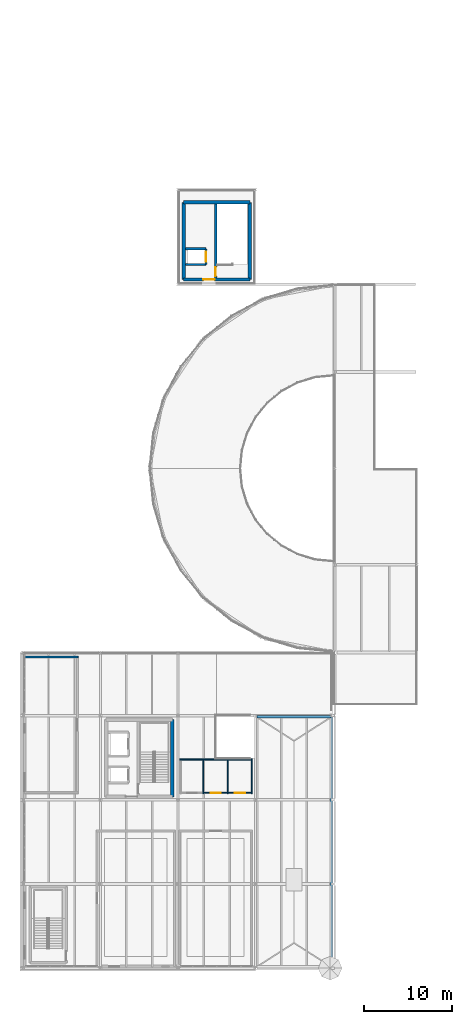
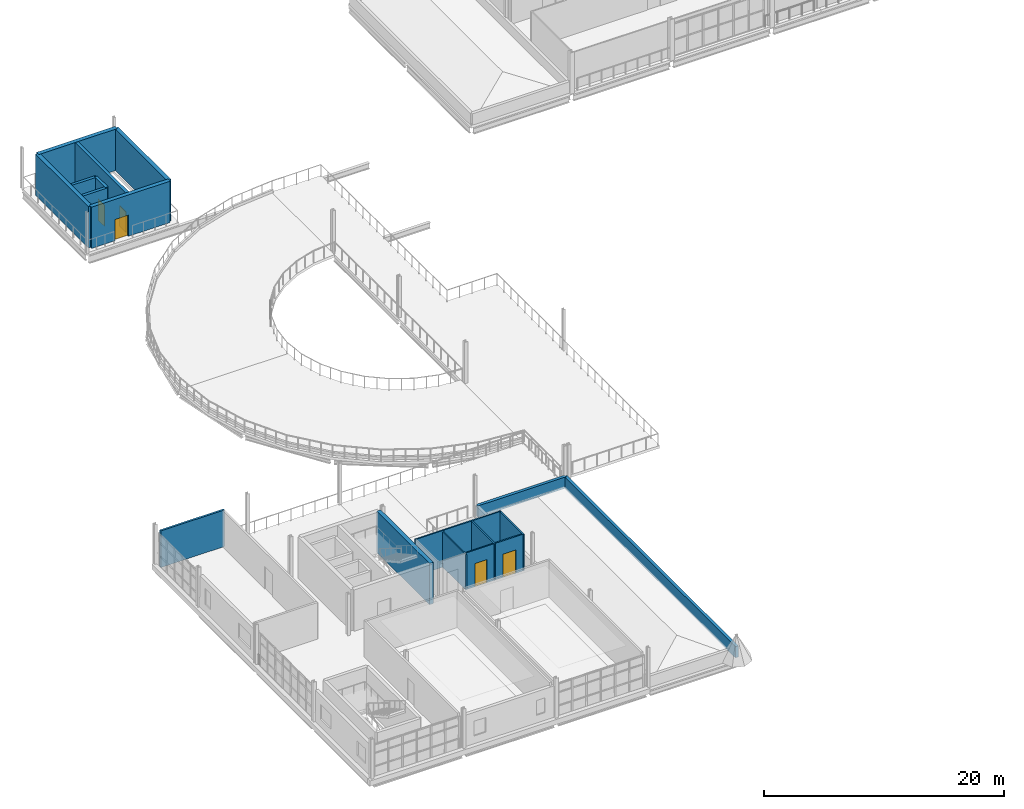
# One storey, part 45 of 58: 20 walls, 5 doors, 5 openings.
"""IFC4 building model written with IfcOpenShell, lengths in metres."""

import ifcopenshell
import ifcopenshell.guid

model = None  # the IFC model being written
_history = None  # IfcOwnerHistory: only IFC2X3 demands one
_inside = {}  # id of a spatial element -> (the spatial element, [elements in it])
_under = {}  # id of a project, library or spatial element -> (it, [spatial elements below it])
_declared = {}  # id of a project -> (the project, [libraries it declares])
_typed = {}  # id of a type object -> (the type object, [elements of that type])
_made_of = {}  # id of a material, layer set ... -> (it, [elements and type objects made of it])


def new_model(schema):
    """Start an empty IFC model of exactly this schema.

    Asked for "IFC4X3", IfcOpenShell would pick the latest addendum, in which some entities
    have other attributes; the version numbers below select the first issue.
    IFC2X3 requires an IfcOwnerHistory on every rooted entity: one is made here for all.
    """
    global model, _history
    if schema == "IFC4X3":
        model = ifcopenshell.file(schema_version=(4, 3, 0, 0))
    else:
        model = ifcopenshell.file(schema=schema)
    _inside.clear()
    _under.clear()
    _declared.clear()
    _typed.clear()
    _made_of.clear()
    _history = None
    if model.schema == "IFC2X3":
        org = make("IfcOrganization", Name="unknown")
        user = make(
            "IfcPersonAndOrganization",
            ThePerson=make("IfcPerson", FamilyName="unknown"),
            TheOrganization=org,
        )
        app = make(
            "IfcApplication",
            ApplicationDeveloper=org,
            Version="unknown",
            ApplicationFullName="unknown",
            ApplicationIdentifier="unknown",
        )
        _history = make(
            "IfcOwnerHistory",
            OwningUser=user,
            OwningApplication=app,
            ChangeAction="ADDED",
            CreationDate=0,
        )
    return model


def make(cls, **values):
    """One entity of the class cls with the attributes given. An attribute that is None is left unset."""
    return model.create_entity(
        cls, **{name: value for name, value in values.items() if value is not None}
    )


def rooted(cls, **values):
    """An entity with a GlobalId (a new one), such as an element, a storey or a relation."""
    return make(cls, GlobalId=ifcopenshell.guid.new(), OwnerHistory=_history, **values)


def si_unit(unit_type, name, prefix=None):
    """IfcSIUnit, for example si_unit("LENGTHUNIT", "METRE", prefix="MILLI")."""
    return make("IfcSIUnit", UnitType=unit_type, Prefix=prefix, Name=name)


def assignment(units):
    """IfcUnitAssignment: the units of a project."""
    return None if units is None else make("IfcUnitAssignment", Units=units)


def point(xyz):
    """IfcCartesianPoint."""
    return None if xyz is None else make("IfcCartesianPoint", Coordinates=xyz)


def direction(xyz):
    """IfcDirection."""
    return None if xyz is None else make("IfcDirection", DirectionRatios=xyz)


def frame(location, z_axis=None, x_axis=None):
    """IfcAxis2Placement3D, a coordinate frame: its origin and axes. An axis left out is left unset."""
    return make(
        "IfcAxis2Placement3D",
        Location=point(location),
        Axis=direction(z_axis),
        RefDirection=direction(x_axis),
    )


def frame_2d(location, x_axis=None):
    """IfcAxis2Placement2D, a coordinate frame in the plane: its origin and x axis."""
    return make(
        "IfcAxis2Placement2D", Location=point(location), RefDirection=direction(x_axis)
    )


def origin():
    """The frame at (0, 0, 0) with its axes left unset."""
    return frame((0.0, 0.0, 0.0))


def place(relative_to, where):
    """IfcLocalPlacement: puts the frame where relative to a parent placement (None: the world)."""
    return make(
        "IfcLocalPlacement", PlacementRelTo=relative_to, RelativePlacement=where
    )


def context(
    kind, dimensions, precision=None, world=None, true_north=None, identifier=None
):
    """IfcGeometricRepresentationContext, for example the 3D "Model" context."""
    return make(
        "IfcGeometricRepresentationContext",
        ContextIdentifier=identifier,
        ContextType=kind,
        CoordinateSpaceDimension=dimensions,
        Precision=precision,
        WorldCoordinateSystem=world,
        TrueNorth=true_north,
    )


def subcontext(parent, identifier, kind, view, scale=None):
    """IfcGeometricRepresentationSubContext, for example "Body" below "Model"."""
    return make(
        "IfcGeometricRepresentationSubContext",
        ContextIdentifier=identifier,
        ContextType=kind,
        ParentContext=parent,
        TargetScale=scale,
        TargetView=view,
    )


def project(units=None, contexts=None):
    """IfcProject with its units and contexts."""
    return rooted(
        "IfcProject",
        Name="project",
        RepresentationContexts=contexts,
        UnitsInContext=assignment(units),
    )


def spatial(cls, under=None, at=None, **own):
    """A site, building, storey or space (cls), placed at a placement, below another one or the project."""
    s = rooted(cls, ObjectPlacement=at, **own)
    if under is not None:
        _under.setdefault(under.id(), (under, []))[1].append(s)
    return s


def profile(cls, at=None, kind="AREA", **sizes):
    """A parametric profile (cls). Its sizes go by their IFC names, for example OverallWidth=200.0."""
    return make(cls, ProfileType=kind, Position=at, **sizes)


def rectangle(**sizes):
    """IfcRectangleProfileDef."""
    return profile("IfcRectangleProfileDef", **sizes)


def extrude(swept, where, along, depth):
    """IfcExtrudedAreaSolid: the profile swept, set in the frame where, extruded along a direction by depth."""
    return make(
        "IfcExtrudedAreaSolid",
        SweptArea=swept,
        Position=where,
        ExtrudedDirection=direction(along),
        Depth=depth,
    )


def shape(context_of_items, identifier, shape_type, items):
    """IfcShapeRepresentation: the items that make up one representation, for example the "Body"."""
    return make(
        "IfcShapeRepresentation",
        ContextOfItems=context_of_items,
        RepresentationIdentifier=identifier,
        RepresentationType=shape_type,
        Items=items,
    )


def material(Name=None, Category=None):
    """IfcMaterial."""
    return make("IfcMaterial", Name=Name, Category=Category)


def layer(
    of_material, thickness, ventilated=None, Name=None, Category=None, Priority=None
):
    """IfcMaterialLayer: one layer of a wall or slab, of a material (None: an air gap)."""
    return make(
        "IfcMaterialLayer",
        Material=of_material,
        LayerThickness=thickness,
        IsVentilated=ventilated,
        Name=Name,
        Category=Category,
        Priority=Priority,
    )


def layer_set(layers, Name=None):
    """IfcMaterialLayerSet."""
    return make("IfcMaterialLayerSet", MaterialLayers=layers, LayerSetName=Name)


def made_of(thing, what):
    """Note that an element or type object is made of a material, layer set ...; save() writes the relation."""
    if what is not None:
        _made_of.setdefault(what.id(), (what, []))[1].append(thing)
    return thing


def type_object(cls, material=None, **own):
    """A type object (cls), such as IfcWallType, which elements share."""
    return made_of(rooted(cls, **own), material)


def element(
    cls,
    number,
    at=None,
    inside=None,
    cuts=None,
    type_object=None,
    material=None,
    context=None,
    identifier="Body",
    shape_type=None,
    held_by="IfcProductDefinitionShape",
    body=None,
    shapes=None,
    **own,
):
    """One element of the class cls, such as IfcWall. Its Tag is "e" and its number.

    at: its placement. inside: the storey or other place that contains it. cuts: it is an
    opening in that element (IfcRelVoidsElement). A single representation is given by context,
    identifier, shape_type and body (its items); several are given by shapes. held_by: the class
    of the entity that holds the representations. save() writes the other relations.
    """
    e = rooted(cls, Tag="e%d" % number, ObjectPlacement=at, **own)
    if body is not None:
        shapes = [shape(context, identifier, shape_type, body)]
    if shapes is not None:
        e.Representation = make(held_by, Representations=shapes)
    if inside is not None:
        _inside.setdefault(inside.id(), (inside, []))[1].append(e)
    if cuts is not None:
        rooted(
            "IfcRelVoidsElement", RelatingBuildingElement=cuts, RelatedOpeningElement=e
        )
    if type_object is not None:
        _typed.setdefault(type_object.id(), (type_object, []))[1].append(e)
    return made_of(e, material)


def fill(opening, filler):
    """IfcRelFillsElement: the door or window that sits in an opening."""
    return rooted(
        "IfcRelFillsElement",
        RelatingOpeningElement=opening,
        RelatedBuildingElement=filler,
    )


def aggregate(whole, parts):
    """IfcRelAggregates: a whole, such as a stair, and the parts it consists of."""
    return rooted("IfcRelAggregates", RelatingObject=whole, RelatedObjects=parts)


def save(model, path):
    """Write the relations noted so far, then the file.

    IfcRelAggregates (storeys below a building ...), IfcRelContainedInSpatialStructure (elements
    in a storey), IfcRelDefinesByType, IfcRelAssociatesMaterial and IfcRelDeclares: one each for
    every whole, place, type object, material and project.
    """
    for whole, parts in _under.values():
        aggregate(whole, parts)
    for where, things in _inside.values():
        rooted(
            "IfcRelContainedInSpatialStructure",
            RelatedElements=things,
            RelatingStructure=where,
        )
    for kind, things in _typed.values():
        rooted("IfcRelDefinesByType", RelatedObjects=things, RelatingType=kind)
    for what, things in _made_of.values():
        rooted("IfcRelAssociatesMaterial", RelatedObjects=things, RelatingMaterial=what)
    for by, libraries in _declared.values():
        rooted("IfcRelDeclares", RelatingContext=by, RelatedDefinitions=libraries)
    model.write(path)


model = new_model("IFC4")

# Units and contexts
model_context = context("Model", 3, precision=1e-05, world=origin(), true_north=direction((0.0, 1.0)))
body_context = subcontext(model_context, "Body", "Model", "MODEL_VIEW")
ifc_project = project(units=[si_unit("LENGTHUNIT", "METRE"), si_unit("AREAUNIT", "SQUARE_METRE"), si_unit("VOLUMEUNIT", "CUBIC_METRE"), si_unit("PLANEANGLEUNIT", "RADIAN"), si_unit("MASSUNIT", "GRAM", prefix="KILO")], contexts=[model_context])

# Site, building, storey
site_placement = place(None, origin())
site = spatial("IfcSite", under=ifc_project, at=site_placement, CompositionType="ELEMENT")
building_placement = place(site_placement, origin())
building = spatial("IfcBuilding", under=site, at=building_placement, Name="Yeouljin Market Hall", CompositionType="ELEMENT")
storey_placement = place(building_placement, frame((0.0, 0.0, 10.800048828125)))
storey = spatial("IfcBuildingStorey", under=building, at=storey_placement, Name="L02", CompositionType="ELEMENT", Elevation=10.800048828125)

# Walls
ifc_material_1 = material(Name="Ceramic-Faced Acoustic Partition")
ifc_layer_1 = layer(ifc_material_1, 0.18994140625)
ifc_layer_set_1 = layer_set([ifc_layer_1], Name="Ceramic-Faced Acoustic Partition")
wall_type_1 = type_object("IfcWallType", Name="Part_KitchenTile_190", PredefinedType="PARTITIONING", material=ifc_layer_set_1)
wall_1_placement = place(storey_placement, frame((6.320068359375, 35.5, 0.0), z_axis=(0.0, 0.0, 1.0), x_axis=(-1.0, 0.0, 0.0)))
element("IfcWall", 1, at=wall_1_placement, inside=storey, type_object=wall_type_1, Name="Interior partition PART-L02-0123", PredefinedType="PARTITIONING", context=body_context, shape_type="SweptSolid", body=[
    extrude(rectangle(XDim=6.1201171875, YDim=0.18994140625, at=frame_2d((3.06005859375, 0.0))), origin(), (0.0, 0.0, 1.0), 3.719970703125),
])
ifc_material_2 = material(Name="Moisture-Resistant Gypsum Partition")
ifc_layer_2 = layer(ifc_material_2, 0.1298828125)
ifc_layer_set_2 = layer_set([ifc_layer_2], Name="Moisture-Resistant Gypsum Partition")
wall_type_2 = type_object("IfcWallType", Name="Part_Sanitary_130", PredefinedType="PARTITIONING", material=ifc_layer_set_2)
wall_2_placement = place(storey_placement, frame((20.679931640625, 23.800048828125, 0.0), z_axis=(0.0, 0.0, 1.0), x_axis=(-1.0, 0.0, 0.0)))
element("IfcWall", 2, at=wall_2_placement, inside=storey, type_object=wall_type_2, Name="Interior partition PART-L02-0106", PredefinedType="PARTITIONING", context=body_context, shape_type="SweptSolid", body=[
    extrude(rectangle(XDim=2.760009765625, YDim=0.1298828125, at=frame_2d((1.3798828125, 0.0))), origin(), (0.0, 0.0, 1.0), 3.719970703125),
])
wall_3_placement = place(storey_placement, frame((20.60009765625, 19.919921875, 0.0), z_axis=(0.0, 0.0, 1.0), x_axis=(0.0, 1.0, 0.0)))
element("IfcWall", 3, at=wall_3_placement, inside=storey, type_object=wall_type_2, Name="Interior partition PART-L02-0107", PredefinedType="PARTITIONING", context=body_context, shape_type="SweptSolid", body=[
    extrude(rectangle(XDim=3.9599609375, YDim=0.1298828125, at=frame_2d((1.97998046875, 0.0))), origin(), (0.0, 0.0, 1.0), 3.56494140625),
])

# Wall, opening, door
wall_4_placement = place(storey_placement, frame((20.60009765625, 20.0, 0.0), z_axis=(0.0, 0.0, 1.0), x_axis=(1.0, 0.0, 0.0)))
wall_4 = element("IfcWall", 4, at=wall_4_placement, inside=storey, type_object=wall_type_2, Name="Interior partition PART-L02-0109", PredefinedType="PARTITIONING", context=body_context, shape_type="SweptSolid", body=[
    extrude(rectangle(XDim=2.83984375, YDim=0.1298828125, at=frame_2d((1.419921875, 0.0))), origin(), (0.0, 0.0, 1.0), 3.719970703125),
])
opening_1_placement = place(wall_4_placement, frame((0.85009765625, 0.0, 0.0)))
opening_1 = element("IfcOpeningElement", 5, at=opening_1_placement, cuts=wall_4, Name="Opening D-L02-034", PredefinedType="OPENING", context=body_context, shape_type="SweptSolid", body=[
    extrude(rectangle(XDim=1.139892578125, YDim=2.360107421875, at=frame_2d((0.56982421875, 1.18017578125))), frame((0.0, 0.074951171875, 0.0), z_axis=(0.0, -1.0, 0.0), x_axis=(1.0, 0.0, 0.0)), (0.0, 0.0, 1.0), 0.14990234375),
])
ifc_material_3 = material(Name="Acoustic Timber Veneer", Category="wood")
door_type_1 = type_object("IfcDoorType", Name="DT-ID114T", OperationType="NOTDEFINED", PredefinedType="DOOR", material=ifc_material_3)
door_1_placement = place(opening_1_placement, origin())
door_1 = element("IfcDoor", 6, at=door_1_placement, inside=storey, type_object=door_type_1, Name="Interior door D-L02-034 (Female WC)", OperationType="SINGLE_SWING_RIGHT", OverallHeight=2.360107421875, OverallWidth=1.139892578125, PredefinedType="DOOR", context=body_context, shape_type="SweptSolid", body=[
    extrude(rectangle(XDim=1.139892578125, YDim=2.360107421875, at=frame_2d((0.56982421875, 1.18017578125))), frame((0.0, 0.02490234375, 0.0), z_axis=(0.0, -1.0, 0.0), x_axis=(1.0, 0.0, 0.0)), (0.0, 0.0, 1.0), 0.050048828125),
])
fill(opening_1, door_1)

# Walls
wall_5_placement = place(storey_placement, frame((23.43994140625, 23.800048828125, 0.0), z_axis=(0.0, 0.0, 1.0), x_axis=(-1.0, 0.0, 0.0)))
element("IfcWall", 7, at=wall_5_placement, inside=storey, type_object=wall_type_2, Name="Interior partition PART-L02-0110", PredefinedType="PARTITIONING", context=body_context, shape_type="SweptSolid", body=[
    extrude(rectangle(XDim=2.83984375, YDim=0.1298828125, at=frame_2d((1.419921875, 0.0))), origin(), (0.0, 0.0, 1.0), 3.719970703125),
])
wall_6_placement = place(storey_placement, frame((23.360107421875, 19.919921875, 0.0), z_axis=(0.0, 0.0, 1.0), x_axis=(0.0, 1.0, 0.0)))
element("IfcWall", 8, at=wall_6_placement, inside=storey, type_object=wall_type_2, Name="Interior partition PART-L02-0111", PredefinedType="PARTITIONING", context=body_context, shape_type="SweptSolid", body=[
    extrude(rectangle(XDim=3.9599609375, YDim=0.1298828125, at=frame_2d((1.97998046875, 0.0))), origin(), (0.0, 0.0, 1.0), 3.719970703125),
])

# Wall, opening, door
wall_7_placement = place(storey_placement, frame((23.360107421875, 20.0, 0.0), z_axis=(0.0, 0.0, 1.0), x_axis=(1.0, 0.0, 0.0)))
wall_7 = element("IfcWall", 9, at=wall_7_placement, inside=storey, type_object=wall_type_2, Name="Interior partition PART-L02-0112", PredefinedType="PARTITIONING", context=body_context, shape_type="SweptSolid", body=[
    extrude(rectangle(XDim=2.81982421875, YDim=0.1298828125, at=frame_2d((1.409912109375, 0.0))), origin(), (0.0, 0.0, 1.0), 3.719970703125),
])
opening_2_placement = place(wall_7_placement, frame((0.800048828125, 0.0, 0.0)))
opening_2 = element("IfcOpeningElement", 10, at=opening_2_placement, cuts=wall_7, Name="Opening D-L02-035", PredefinedType="OPENING", context=body_context, shape_type="SweptSolid", body=[
    extrude(rectangle(XDim=1.219970703125, YDim=2.360107421875, at=frame_2d((0.60986328125, 1.18017578125))), frame((0.0, 0.074951171875, 0.0), z_axis=(0.0, -1.0, 0.0), x_axis=(1.0, 0.0, 0.0)), (0.0, 0.0, 1.0), 0.14990234375),
])
ifc_material_4 = material(Name="Acoustic Timber Veneer", Category="wood")
door_type_2 = type_object("IfcDoorType", Name="DT-ID122T", OperationType="NOTDEFINED", PredefinedType="DOOR", material=ifc_material_4)
door_2_placement = place(opening_2_placement, origin())
door_2 = element("IfcDoor", 11, at=door_2_placement, inside=storey, type_object=door_type_2, Name="Interior door D-L02-035 (Accessible WC)", OperationType="SINGLE_SWING_LEFT", OverallHeight=2.360107421875, OverallWidth=1.219970703125, PredefinedType="DOOR", context=body_context, shape_type="SweptSolid", body=[
    extrude(rectangle(XDim=1.219970703125, YDim=2.360107421875, at=frame_2d((0.60986328125, 1.18017578125))), frame((0.0, 0.02490234375, 0.0), z_axis=(0.0, -1.0, 0.0), x_axis=(1.0, 0.0, 0.0)), (0.0, 0.0, 1.0), 0.050048828125),
])
fill(opening_2, door_2)

# Walls
wall_8_placement = place(storey_placement, frame((26.10009765625, 19.919921875, 0.0), z_axis=(0.0, 0.0, 1.0), x_axis=(0.0, 1.0, 0.0)))
element("IfcWall", 12, at=wall_8_placement, inside=storey, type_object=wall_type_2, Name="Interior partition PART-L02-0113", PredefinedType="PARTITIONING", context=body_context, shape_type="SweptSolid", body=[
    extrude(rectangle(XDim=3.9599609375, YDim=0.1298828125, at=frame_2d((1.97998046875, 0.0))), origin(), (0.0, 0.0, 1.0), 3.719970703125),
])
wall_9_placement = place(storey_placement, frame((26.179931640625, 23.800048828125, 0.0), z_axis=(0.0, 0.0, 1.0), x_axis=(-1.0, 0.0, 0.0)))
element("IfcWall", 13, at=wall_9_placement, inside=storey, type_object=wall_type_2, Name="Interior partition PART-L02-0114", PredefinedType="PARTITIONING", context=body_context, shape_type="SweptSolid", body=[
    extrude(rectangle(XDim=2.81982421875, YDim=0.1298828125, at=frame_2d((1.409912109375, 0.0))), origin(), (0.0, 0.0, 1.0), 3.719970703125),
])

# Wall, opening, door
ifc_material_5 = material(Name="Concrete C35/45", Category="concrete")
ifc_layer_3 = layer(ifc_material_5, 0.260009765625)
ifc_layer_set_3 = layer_set([ifc_layer_3], Name="Concrete C35/45")
wall_type_3 = type_object("IfcWallType", Name="Wall_Compartment_260", PredefinedType="SHEAR", material=ifc_layer_set_3)
wall_10_placement = place(storey_placement, frame((20.905029296875, 80.25, 0.0), z_axis=(0.0, 0.0, 1.0), x_axis=(0.0, 1.0, 0.0)))
wall_10 = element("IfcWall", 14, at=wall_10_placement, inside=storey, type_object=wall_type_3, Name="Lift LP-02 hoistway front wall (L02)", PredefinedType="SHEAR", context=body_context, shape_type="SweptSolid", body=[
    extrude(rectangle(XDim=1.800048828125, YDim=0.260009765625, at=frame_2d((0.89990234375, 0.0))), origin(), (0.0, 0.0, 1.0), 4.199951171875),
])
opening_3_placement = place(wall_10_placement, frame((0.35009765625, 0.0, 0.0)))
opening_3 = element("IfcOpeningElement", 15, at=opening_3_placement, cuts=wall_10, Name="Opening LD-LP-02-L02", PredefinedType="OPENING", context=body_context, shape_type="SweptSolid", body=[
    extrude(rectangle(XDim=1.10009765625, YDim=2.14990234375, at=frame_2d((0.550048828125, 1.074951171875))), frame((0.0, 0.139892578125, 0.0), z_axis=(0.0, -1.0, 0.0), x_axis=(1.0, 0.0, 0.0)), (0.0, 0.0, 1.0), 0.280029296875),
])
ifc_material_6 = material(Name="Brushed Stainless Steel", Category="steel")
door_type_3 = type_object("IfcDoorType", Name="LD-110", OperationType="SLIDING_TO_LEFT", PredefinedType="DOOR", material=ifc_material_6)
door_3_placement = place(opening_3_placement, origin())
door_3 = element("IfcDoor", 16, at=door_3_placement, inside=storey, type_object=door_type_3, Name="Lift landing sliding door LD-LP-02-L02", OperationType="SLIDING_TO_RIGHT", OverallHeight=2.14990234375, OverallWidth=1.10009765625, PredefinedType="DOOR", context=body_context, shape_type="SweptSolid", body=[
    extrude(rectangle(XDim=1.10009765625, YDim=2.14990234375, at=frame_2d((0.550048828125, 1.074951171875))), frame((0.0, 0.02490234375, 0.0), z_axis=(0.0, -1.0, 0.0), x_axis=(1.0, 0.0, 0.0)), (0.0, 0.0, 1.0), 0.050048828125),
])
fill(opening_3, door_3)

# Walls
for number, where, z_axis, x_axis, name in (
    (17, (18.550048828125, 80.25, 0.0), (0.0, 0.0, 1.0), (1.0, 0.0, 0.0), "Lift LP-02 shaft cheek wall S (L02)"),
    (18, (18.550048828125, 82.050048828125, 0.0), (0.0, 0.0, 1.0), (1.0, 0.0, 0.0), "Lift LP-02 shaft cheek wall N (L02)"),
):
    element("IfcWall", number, at=place(storey_placement, frame(where, z_axis=z_axis, x_axis=x_axis)), inside=storey, type_object=wall_type_3, Name=name, PredefinedType="SHEAR", context=body_context, shape_type="SweptSolid", body=[
        extrude(rectangle(XDim=2.35498046875, YDim=0.260009765625, at=frame_2d((1.177490234375, 0.0))), origin(), (0.0, 0.0, 1.0), 4.199951171875),
    ])
ifc_material_7 = material(Name="Concrete C35/45", Category="concrete")
ifc_layer_4 = layer(ifc_material_7, 0.3798828125)
ifc_layer_set_4 = layer_set([ifc_layer_4], Name="Concrete C35/45")
wall_type_4 = type_object("IfcWallType", Name="Wall_CoreShear_380", PredefinedType="SHEAR", material=ifc_layer_set_4)
wall_11_placement = place(storey_placement, frame((17.050048828125, 19.550048828125, 0.0), z_axis=(0.0, 0.0, 1.0), x_axis=(0.0, 1.0, 0.0)))
element("IfcWall", 19, at=wall_11_placement, inside=storey, type_object=wall_type_4, Name="Core C1 east shear wall (L02)", PredefinedType="SHEAR", context=body_context, shape_type="SweptSolid", body=[
    extrude(rectangle(XDim=8.800048828125, YDim=0.3798828125, at=frame_2d((4.39990234375, 0.0))), origin(), (0.0, 0.0, 1.0), 4.199951171875),
])

# Wall, opening, door
wall_12_placement = place(storey_placement, frame((18.35009765625, 78.550048828125, 0.0), z_axis=(0.0, 0.0, 1.0), x_axis=(1.0, 0.0, 0.0)))
wall_12 = element("IfcWall", 20, at=wall_12_placement, inside=storey, type_object=wall_type_4, Name="Core C2 south shear wall (L02)", PredefinedType="SHEAR", context=body_context, shape_type="SweptSolid", body=[
    extrude(rectangle(XDim=7.5498046875, YDim=0.3798828125, at=frame_2d((3.77490234375, 0.0))), origin(), (0.0, 0.0, 1.0), 4.199951171875),
])
opening_4_placement = place(wall_12_placement, frame((2.25, 0.0, 0.0)))
opening_4 = element("IfcOpeningElement", 21, at=opening_4_placement, cuts=wall_12, Name="Opening FD-C2-L02-01", PredefinedType="OPENING", context=body_context, shape_type="SweptSolid", body=[
    extrude(rectangle(XDim=1.280029296875, YDim=2.14990234375, at=frame_2d((0.64013671875, 1.074951171875))), frame((0.0, 0.199951171875, 0.0), z_axis=(0.0, -1.0, 0.0), x_axis=(1.0, 0.0, 0.0)), (0.0, 0.0, 1.0), 0.39990234375),
])
ifc_material_8 = material(Name="Painted Fire-Rated Steel", Category="steel")
door_type_4 = type_object("IfcDoorType", Name="DT-FD128", OperationType="NOTDEFINED", PredefinedType="DOOR", material=ifc_material_8)
door_4_placement = place(opening_4_placement, origin())
door_4 = element("IfcDoor", 22, at=door_4_placement, inside=storey, type_object=door_type_4, Name="Core C2 lobby fire door (L02)", OperationType="SINGLE_SWING_LEFT", OverallHeight=2.14990234375, OverallWidth=1.280029296875, PredefinedType="DOOR", context=body_context, shape_type="SweptSolid", body=[
    extrude(rectangle(XDim=1.280029296875, YDim=2.14990234375, at=frame_2d((0.64013671875, 1.074951171875))), frame((0.0, 0.02490234375, 0.0), z_axis=(0.0, -1.0, 0.0), x_axis=(1.0, 0.0, 0.0)), (0.0, 0.0, 1.0), 0.050048828125),
])
fill(opening_4, door_4)

# Walls
wall_13_placement = place(storey_placement, frame((25.89990234375, 87.35009765625, 0.0), z_axis=(0.0, 0.0, 1.0), x_axis=(-1.0, 0.0, 0.0)))
element("IfcWall", 23, at=wall_13_placement, inside=storey, type_object=wall_type_4, Name="Core C2 north shear wall (L02)", PredefinedType="SHEAR", context=body_context, shape_type="SweptSolid", body=[
    extrude(rectangle(XDim=7.5498046875, YDim=0.3798828125, at=frame_2d((3.77490234375, 0.0))), origin(), (0.0, 0.0, 1.0), 4.199951171875),
])
for number, where, z_axis, x_axis, name in (
    (24, (18.35009765625, 87.35009765625, 0.0), (0.0, 0.0, 1.0), (0.0, -1.0, 0.0), "Core C2 west shear wall (L02)"),
    (25, (25.89990234375, 78.550048828125, 0.0), (0.0, 0.0, 1.0), (0.0, 1.0, 0.0), "Core C2 east shear wall (L02)"),
):
    element("IfcWall", number, at=place(storey_placement, frame(where, z_axis=z_axis, x_axis=x_axis)), inside=storey, type_object=wall_type_4, Name=name, PredefinedType="SHEAR", context=body_context, shape_type="SweptSolid", body=[
        extrude(rectangle(XDim=8.800048828125, YDim=0.3798828125, at=frame_2d((4.39990234375, 0.0))), origin(), (0.0, 0.0, 1.0), 4.199951171875),
    ])
ifc_material_9 = material(Name="Clinker Brick Masonry F2-S2", Category="masonry")
ifc_layer_5 = layer(ifc_material_9, 0.280029296875)
ifc_layer_set_5 = layer_set([ifc_layer_5], Name="Clinker Brick Masonry F2-S2")
wall_type_5 = type_object("IfcWallType", Name="Wall_Parapet_Clinker_280", PredefinedType="PARAPET", material=ifc_layer_set_5)
wall_14_placement = place(storey_placement, frame((35.179931640625, 0.139892578125, 0.010009765625), z_axis=(0.0, 0.0, 1.0), x_axis=(0.0, 1.0, 0.0)))
element("IfcWall", 26, at=wall_14_placement, inside=storey, type_object=wall_type_5, Name="Roof parapet RSLB-V2-L02S-2", PredefinedType="PARAPET", context=body_context, shape_type="SweptSolid", body=[
    extrude(rectangle(XDim=28.52001953125, YDim=0.280029296875, at=frame_2d((14.260009765625, 0.0))), origin(), (0.0, 0.0, 1.0), 1.14990234375),
])
wall_15_placement = place(storey_placement, frame((35.179931640625, 28.659912109375, 0.010009765625), z_axis=(0.0, 0.0, 1.0), x_axis=(-1.0, 0.0, 0.0)))
element("IfcWall", 27, at=wall_15_placement, inside=storey, type_object=wall_type_5, Name="Roof parapet RSLB-V2-L02S-3", PredefinedType="PARAPET", context=body_context, shape_type="SweptSolid", body=[
    extrude(rectangle(XDim=8.489990234375, YDim=0.280029296875, at=frame_2d((4.2451171875, 0.0))), origin(), (0.0, 0.0, 1.0), 1.14990234375),
])

# Wall, opening, door
ifc_material_10 = material(Name="Concrete C35/45", Category="concrete")
ifc_layer_6 = layer(ifc_material_10, 0.300048828125)
ifc_layer_set_6 = layer_set([ifc_layer_6], Name="Concrete C35/45")
wall_type_6 = type_object("IfcWallType", Name="Wall_ShaftShear_300", PredefinedType="SHEAR", material=ifc_layer_set_6)
wall_16_placement = place(storey_placement, frame((22.0, 78.75, 0.0), z_axis=(0.0, 0.0, 1.0), x_axis=(0.0, 1.0, 0.0)))
wall_16 = element("IfcWall", 28, at=wall_16_placement, inside=storey, type_object=wall_type_6, Name="Core C2 stairwell divider wall (L02)", PredefinedType="SHEAR", context=body_context, shape_type="SweptSolid", body=[
    extrude(rectangle(XDim=8.39990234375, YDim=0.300048828125, at=frame_2d((4.199951171875, 0.0))), origin(), (0.0, 0.0, 1.0), 4.199951171875),
])
opening_5_placement = place(wall_16_placement, frame((0.199951171875, 0.0, 0.0)))
opening_5 = element("IfcOpeningElement", 29, at=opening_5_placement, cuts=wall_16, Name="Opening SD-C2-L02", PredefinedType="OPENING", context=body_context, shape_type="SweptSolid", body=[
    extrude(rectangle(XDim=1.02001953125, YDim=2.10009765625, at=frame_2d((0.510009765625, 1.050048828125))), frame((0.0, 0.159912109375, 0.0), z_axis=(0.0, -1.0, 0.0), x_axis=(1.0, 0.0, 0.0)), (0.0, 0.0, 1.0), 0.320068359375),
])
ifc_material_11 = material(Name="Painted Fire-Rated Steel", Category="steel")
door_type_5 = type_object("IfcDoorType", Name="DT-FD102", OperationType="NOTDEFINED", PredefinedType="DOOR", material=ifc_material_11)
door_5_placement = place(opening_5_placement, origin())
door_5 = element("IfcDoor", 30, at=door_5_placement, inside=storey, type_object=door_type_5, Name="Core C2 exit stair door (L02)", OperationType="SINGLE_SWING_RIGHT", OverallHeight=2.10009765625, OverallWidth=1.02001953125, PredefinedType="DOOR", context=body_context, shape_type="SweptSolid", body=[
    extrude(rectangle(XDim=1.02001953125, YDim=2.10009765625, at=frame_2d((0.510009765625, 1.050048828125))), frame((0.0, 0.02490234375, 0.0), z_axis=(0.0, -1.0, 0.0), x_axis=(1.0, 0.0, 0.0)), (0.0, 0.0, 1.0), 0.050048828125),
])
fill(opening_5, door_5)

save(model, "model.ifc")
